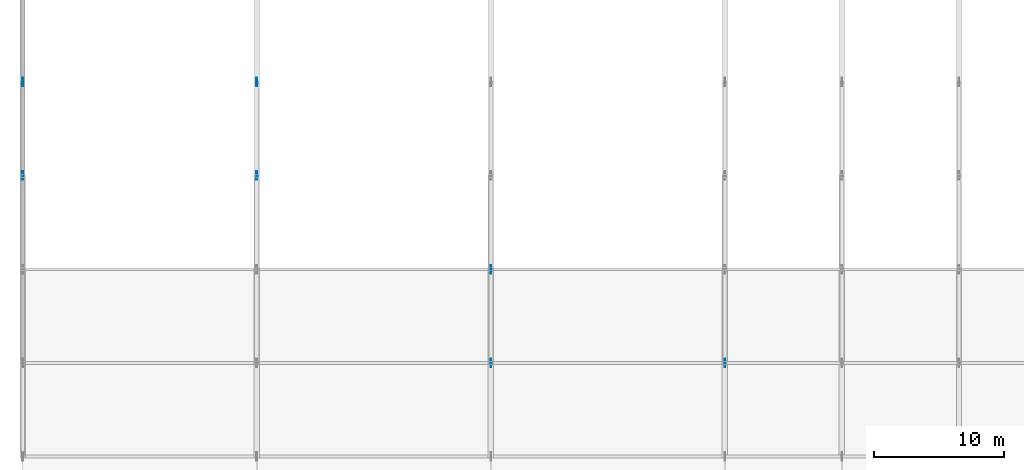
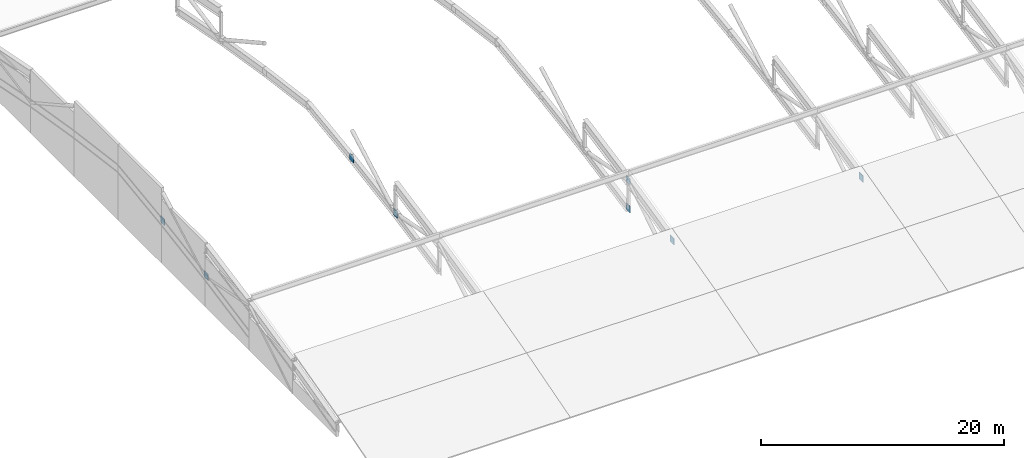
# One storey, part 81 of 124: 8 plates.
"""IFC4 building model written with IfcOpenShell, lengths in metres."""

from ifc_helpers import new_model, si_unit, direction, frame, origin, origin_2d, place, context, subcontext, project, spatial, rectangle, extrude, material, layer, layer_set, type_object, element, save


model = new_model("IFC4")

# Units and contexts
model_context = context("Model", 3, precision=1e-05, world=origin(), true_north=direction((0.0, 1.0)))
body_context = subcontext(model_context, "Body", "Model", "MODEL_VIEW")
ifc_project = project(units=[si_unit("LENGTHUNIT", "METRE"), si_unit("AREAUNIT", "SQUARE_METRE"), si_unit("VOLUMEUNIT", "CUBIC_METRE"), si_unit("PLANEANGLEUNIT", "RADIAN"), si_unit("MASSUNIT", "GRAM", prefix="KILO")], contexts=[model_context])

# Site, building, storey
site_placement = place(None, origin())
site = spatial("IfcSite", under=ifc_project, at=site_placement, CompositionType="ELEMENT")
building_placement = place(site_placement, origin())
building = spatial("IfcBuilding", under=site, at=building_placement, Name="Celestram Park Convention Centre", CompositionType="ELEMENT")
storey_placement = place(building_placement, frame((0.0, 0.0, 15.300048828125)))
storey = spatial("IfcBuildingStorey", under=building, at=storey_placement, Name="L03", CompositionType="ELEMENT", Elevation=15.300048828125)

# Plates
ifc_material = material(Name="Steel ASTM A572 Grade 50", Category="steel")
ifc_layer = layer(ifc_material, 0.050048828125)
ifc_layer_set = layer_set([ifc_layer], Name="Steel ASTM A572 Grade 50")
plate_type = type_object("IfcPlateType", Name="STR-PLT-GP50", PredefinedType="USERDEFINED", material=ifc_layer_set)
for number, where, z_axis, x_axis, name in (
    (1, (0.0, 50.39990234375, 1.856689453125), (0.0, 0.0, 1.0), (0.0, 1.0, 0.0), "V1 truss node gusset plate"),
    (2, (0.0, 57.60009765625, 3.045166015625), (0.0, 0.0, 1.0), (0.0, 1.0, 0.0), "V1 truss node gusset plate"),
    (3, (18.0, 50.39990234375, 1.856689453125), (0.0, 0.0, 1.0), (0.0, 1.0, 0.0), "V1 truss node gusset plate"),
    (4, (18.0, 57.60009765625, 3.045166015625), (0.0, 0.0, 1.0), (0.0, 1.0, 0.0), "V1 truss node gusset plate"),
    (5, (36.0, 36.0, 1.590087890625), (0.0, 0.0, 1.0), (0.0, 1.0, 0.0), "V1 truss node gusset plate"),
    (6, (36.0, 43.199951171875, 3.238525390625), (0.0, 0.0, 1.0), (0.0, 1.0, 0.0), "V1 truss node gusset plate"),
    (7, (36.0, 43.199951171875, 0.4384765625), (0.0, 0.0, 1.0), (0.0, 1.0, 0.0), "V1 truss node gusset plate"),
    (8, (54.0, 36.0, 1.590087890625), (0.0, 0.0, 1.0), (0.0, 1.0, 0.0), "V1 truss node gusset plate"),
):
    element("IfcPlate", number, at=place(storey_placement, frame(where, z_axis=z_axis, x_axis=x_axis)), inside=storey, type_object=plate_type, Name=name, ObjectType="GUSSET_PLATE", PredefinedType="USERDEFINED", context=body_context, shape_type="SweptSolid", body=[
        extrude(rectangle(XDim=0.64990234375, YDim=0.050048828125, at=origin_2d()), origin(), (0.0, 0.0, 1.0), 0.64990234375),
    ])

save(model, "model.ifc")
